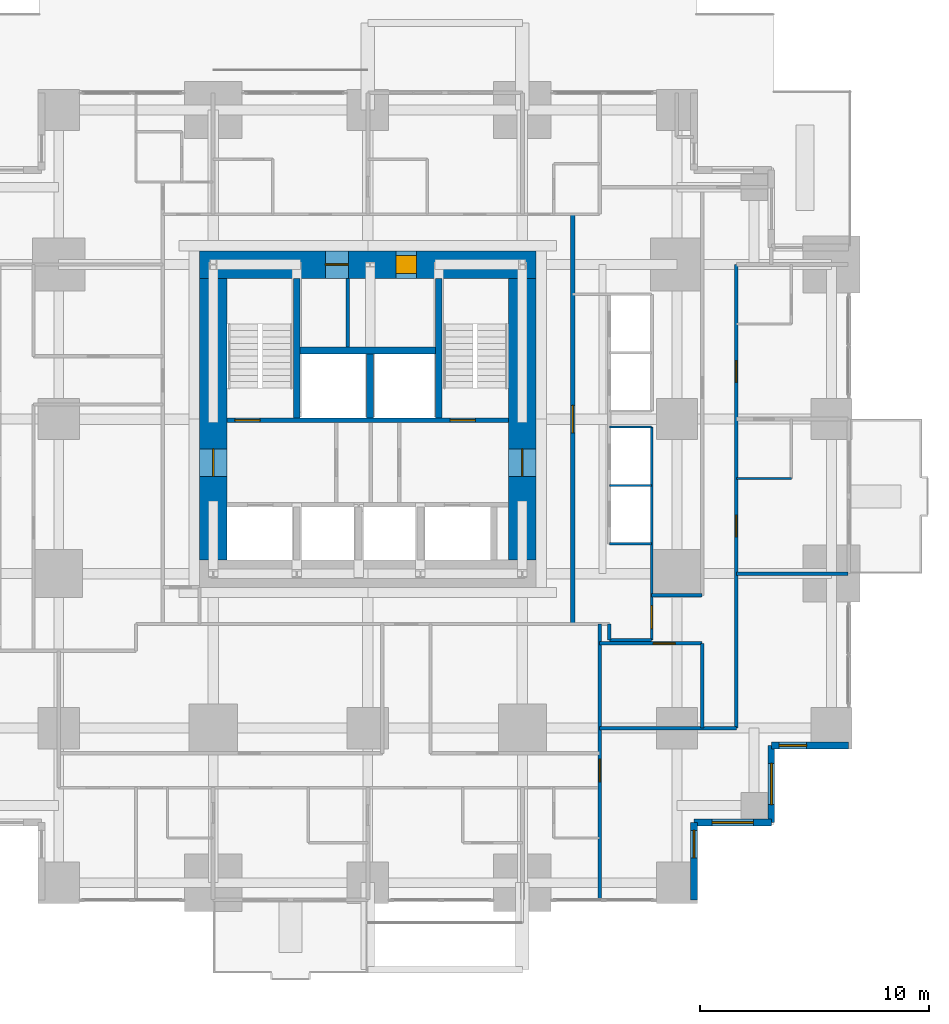
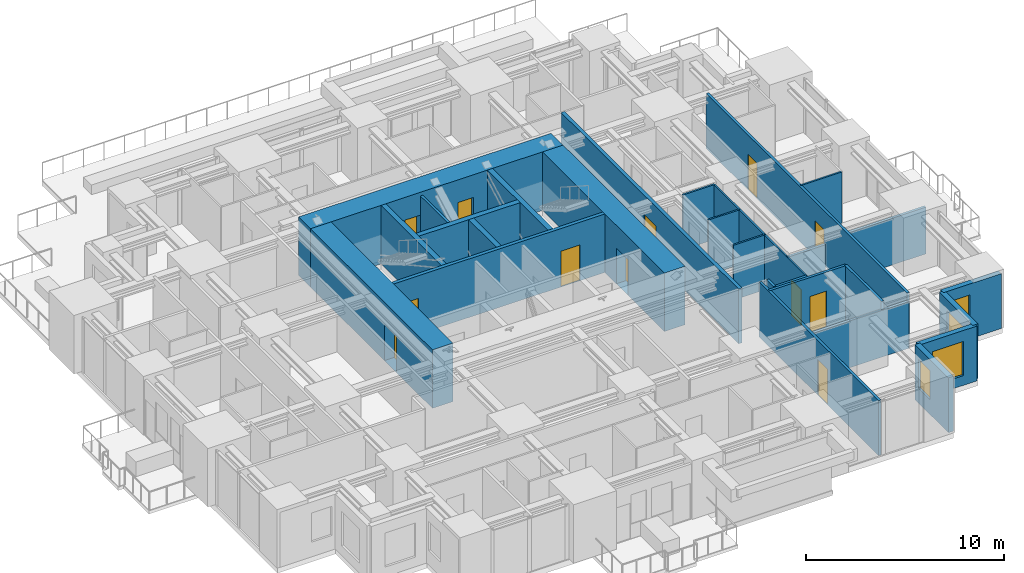
# One storey, part 8 of 12: 28 walls, 12 doors, 4 windows, 16 openings.
"""IFC4 building model written with IfcOpenShell, lengths in metres."""

import ifcopenshell
import ifcopenshell.guid

model = None  # the IFC model being written
_history = None  # IfcOwnerHistory: only IFC2X3 demands one
_inside = {}  # id of a spatial element -> (the spatial element, [elements in it])
_under = {}  # id of a project, library or spatial element -> (it, [spatial elements below it])
_declared = {}  # id of a project -> (the project, [libraries it declares])
_typed = {}  # id of a type object -> (the type object, [elements of that type])
_made_of = {}  # id of a material, layer set ... -> (it, [elements and type objects made of it])


def new_model(schema):
    """Start an empty IFC model of exactly this schema.

    Asked for "IFC4X3", IfcOpenShell would pick the latest addendum, in which some entities
    have other attributes; the version numbers below select the first issue.
    IFC2X3 requires an IfcOwnerHistory on every rooted entity: one is made here for all.
    """
    global model, _history
    if schema == "IFC4X3":
        model = ifcopenshell.file(schema_version=(4, 3, 0, 0))
    else:
        model = ifcopenshell.file(schema=schema)
    _inside.clear()
    _under.clear()
    _declared.clear()
    _typed.clear()
    _made_of.clear()
    _history = None
    if model.schema == "IFC2X3":
        org = make("IfcOrganization", Name="unknown")
        user = make(
            "IfcPersonAndOrganization",
            ThePerson=make("IfcPerson", FamilyName="unknown"),
            TheOrganization=org,
        )
        app = make(
            "IfcApplication",
            ApplicationDeveloper=org,
            Version="unknown",
            ApplicationFullName="unknown",
            ApplicationIdentifier="unknown",
        )
        _history = make(
            "IfcOwnerHistory",
            OwningUser=user,
            OwningApplication=app,
            ChangeAction="ADDED",
            CreationDate=0,
        )
    return model


def make(cls, **values):
    """One entity of the class cls with the attributes given. An attribute that is None is left unset."""
    return model.create_entity(
        cls, **{name: value for name, value in values.items() if value is not None}
    )


def rooted(cls, **values):
    """An entity with a GlobalId (a new one), such as an element, a storey or a relation."""
    return make(cls, GlobalId=ifcopenshell.guid.new(), OwnerHistory=_history, **values)


def si_unit(unit_type, name, prefix=None):
    """IfcSIUnit, for example si_unit("LENGTHUNIT", "METRE", prefix="MILLI")."""
    return make("IfcSIUnit", UnitType=unit_type, Prefix=prefix, Name=name)


def assignment(units):
    """IfcUnitAssignment: the units of a project."""
    return None if units is None else make("IfcUnitAssignment", Units=units)


def point(xyz):
    """IfcCartesianPoint."""
    return None if xyz is None else make("IfcCartesianPoint", Coordinates=xyz)


def direction(xyz):
    """IfcDirection."""
    return None if xyz is None else make("IfcDirection", DirectionRatios=xyz)


def frame(location, z_axis=None, x_axis=None):
    """IfcAxis2Placement3D, a coordinate frame: its origin and axes. An axis left out is left unset."""
    return make(
        "IfcAxis2Placement3D",
        Location=point(location),
        Axis=direction(z_axis),
        RefDirection=direction(x_axis),
    )


def frame_2d(location, x_axis=None):
    """IfcAxis2Placement2D, a coordinate frame in the plane: its origin and x axis."""
    return make(
        "IfcAxis2Placement2D", Location=point(location), RefDirection=direction(x_axis)
    )


def origin():
    """The frame at (0, 0, 0) with its axes left unset."""
    return frame((0.0, 0.0, 0.0))


def place(relative_to, where):
    """IfcLocalPlacement: puts the frame where relative to a parent placement (None: the world)."""
    return make(
        "IfcLocalPlacement", PlacementRelTo=relative_to, RelativePlacement=where
    )


def context(
    kind, dimensions, precision=None, world=None, true_north=None, identifier=None
):
    """IfcGeometricRepresentationContext, for example the 3D "Model" context."""
    return make(
        "IfcGeometricRepresentationContext",
        ContextIdentifier=identifier,
        ContextType=kind,
        CoordinateSpaceDimension=dimensions,
        Precision=precision,
        WorldCoordinateSystem=world,
        TrueNorth=true_north,
    )


def subcontext(parent, identifier, kind, view, scale=None):
    """IfcGeometricRepresentationSubContext, for example "Body" below "Model"."""
    return make(
        "IfcGeometricRepresentationSubContext",
        ContextIdentifier=identifier,
        ContextType=kind,
        ParentContext=parent,
        TargetScale=scale,
        TargetView=view,
    )


def project(units=None, contexts=None):
    """IfcProject with its units and contexts."""
    return rooted(
        "IfcProject",
        Name="project",
        RepresentationContexts=contexts,
        UnitsInContext=assignment(units),
    )


def spatial(cls, under=None, at=None, **own):
    """A site, building, storey or space (cls), placed at a placement, below another one or the project."""
    s = rooted(cls, ObjectPlacement=at, **own)
    if under is not None:
        _under.setdefault(under.id(), (under, []))[1].append(s)
    return s


def profile(cls, at=None, kind="AREA", **sizes):
    """A parametric profile (cls). Its sizes go by their IFC names, for example OverallWidth=200.0."""
    return make(cls, ProfileType=kind, Position=at, **sizes)


def rectangle(**sizes):
    """IfcRectangleProfileDef."""
    return profile("IfcRectangleProfileDef", **sizes)


def extrude(swept, where, along, depth):
    """IfcExtrudedAreaSolid: the profile swept, set in the frame where, extruded along a direction by depth."""
    return make(
        "IfcExtrudedAreaSolid",
        SweptArea=swept,
        Position=where,
        ExtrudedDirection=direction(along),
        Depth=depth,
    )


def shape(context_of_items, identifier, shape_type, items):
    """IfcShapeRepresentation: the items that make up one representation, for example the "Body"."""
    return make(
        "IfcShapeRepresentation",
        ContextOfItems=context_of_items,
        RepresentationIdentifier=identifier,
        RepresentationType=shape_type,
        Items=items,
    )


def material(Name=None, Category=None):
    """IfcMaterial."""
    return make("IfcMaterial", Name=Name, Category=Category)


def layer(
    of_material, thickness, ventilated=None, Name=None, Category=None, Priority=None
):
    """IfcMaterialLayer: one layer of a wall or slab, of a material (None: an air gap)."""
    return make(
        "IfcMaterialLayer",
        Material=of_material,
        LayerThickness=thickness,
        IsVentilated=ventilated,
        Name=Name,
        Category=Category,
        Priority=Priority,
    )


def layer_set(layers, Name=None):
    """IfcMaterialLayerSet."""
    return make("IfcMaterialLayerSet", MaterialLayers=layers, LayerSetName=Name)


def made_of(thing, what):
    """Note that an element or type object is made of a material, layer set ...; save() writes the relation."""
    if what is not None:
        _made_of.setdefault(what.id(), (what, []))[1].append(thing)
    return thing


def type_object(cls, material=None, **own):
    """A type object (cls), such as IfcWallType, which elements share."""
    return made_of(rooted(cls, **own), material)


def element(
    cls,
    number,
    at=None,
    inside=None,
    cuts=None,
    type_object=None,
    material=None,
    context=None,
    identifier="Body",
    shape_type=None,
    held_by="IfcProductDefinitionShape",
    body=None,
    shapes=None,
    **own,
):
    """One element of the class cls, such as IfcWall. Its Tag is "e" and its number.

    at: its placement. inside: the storey or other place that contains it. cuts: it is an
    opening in that element (IfcRelVoidsElement). A single representation is given by context,
    identifier, shape_type and body (its items); several are given by shapes. held_by: the class
    of the entity that holds the representations. save() writes the other relations.
    """
    e = rooted(cls, Tag="e%d" % number, ObjectPlacement=at, **own)
    if body is not None:
        shapes = [shape(context, identifier, shape_type, body)]
    if shapes is not None:
        e.Representation = make(held_by, Representations=shapes)
    if inside is not None:
        _inside.setdefault(inside.id(), (inside, []))[1].append(e)
    if cuts is not None:
        rooted(
            "IfcRelVoidsElement", RelatingBuildingElement=cuts, RelatedOpeningElement=e
        )
    if type_object is not None:
        _typed.setdefault(type_object.id(), (type_object, []))[1].append(e)
    return made_of(e, material)


def fill(opening, filler):
    """IfcRelFillsElement: the door or window that sits in an opening."""
    return rooted(
        "IfcRelFillsElement",
        RelatingOpeningElement=opening,
        RelatedBuildingElement=filler,
    )


def aggregate(whole, parts):
    """IfcRelAggregates: a whole, such as a stair, and the parts it consists of."""
    return rooted("IfcRelAggregates", RelatingObject=whole, RelatedObjects=parts)


def save(model, path):
    """Write the relations noted so far, then the file.

    IfcRelAggregates (storeys below a building ...), IfcRelContainedInSpatialStructure (elements
    in a storey), IfcRelDefinesByType, IfcRelAssociatesMaterial and IfcRelDeclares: one each for
    every whole, place, type object, material and project.
    """
    for whole, parts in _under.values():
        aggregate(whole, parts)
    for where, things in _inside.values():
        rooted(
            "IfcRelContainedInSpatialStructure",
            RelatedElements=things,
            RelatingStructure=where,
        )
    for kind, things in _typed.values():
        rooted("IfcRelDefinesByType", RelatedObjects=things, RelatingType=kind)
    for what, things in _made_of.values():
        rooted("IfcRelAssociatesMaterial", RelatedObjects=things, RelatingMaterial=what)
    for by, libraries in _declared.values():
        rooted("IfcRelDeclares", RelatingContext=by, RelatedDefinitions=libraries)
    model.write(path)


model = new_model("IFC4")

# Units and contexts
model_context = context("Model", 3, precision=1e-05, world=origin(), true_north=direction((0.0, 1.0)))
body_context = subcontext(model_context, "Body", "Model", "MODEL_VIEW")
ifc_project = project(units=[si_unit("LENGTHUNIT", "METRE"), si_unit("AREAUNIT", "SQUARE_METRE"), si_unit("VOLUMEUNIT", "CUBIC_METRE"), si_unit("PLANEANGLEUNIT", "RADIAN"), si_unit("MASSUNIT", "GRAM", prefix="KILO")], contexts=[model_context])

# Site, building, storey
site_placement = place(None, origin())
site = spatial("IfcSite", under=ifc_project, at=site_placement, CompositionType="ELEMENT")
building_placement = place(site_placement, origin())
building = spatial("IfcBuilding", under=site, at=building_placement, Name="Nyansa Garden Tower", CompositionType="ELEMENT")
storey_placement = place(building_placement, frame((0.0, 0.0, 80.10009765625)))
storey = spatial("IfcBuildingStorey", under=building, at=storey_placement, Name="L21", CompositionType="ELEMENT", Elevation=80.10009765625)

# Wall, openings, doors
ifc_material_1 = material(Name="Concrete C70/85", Category="concrete")
ifc_layer_1 = layer(ifc_material_1, 0.199951171875)
ifc_layer_set_1 = layer_set([ifc_layer_1], Name="Core inner wall CI200")
wall_type_1 = type_object("IfcWallType", Name="Core inner wall CI200", PredefinedType="SHEAR", material=ifc_layer_set_1)
wall_1_placement = place(storey_placement, frame((14.10009765625, 20.199951171875, 0.0), z_axis=(0.0, 0.0, 1.0), x_axis=(1.0, 0.0, 0.0)))
wall_1 = element("IfcWall", 1, at=wall_1_placement, inside=storey, type_object=wall_type_1, Name="Core inner wall L21", PredefinedType="SHEAR", context=body_context, shape_type="SweptSolid", body=[
    extrude(rectangle(XDim=12.2998046875, YDim=0.199951171875, at=frame_2d((6.14990234375, 0.0))), origin(), (0.0, 0.0, 1.0), 3.599853515625),
])
opening_1_placement = place(wall_1_placement, frame((0.35009765625, 0.0, 0.0)))
opening_1 = element("IfcOpeningElement", 2, at=opening_1_placement, cuts=wall_1, Name="Opening D05", PredefinedType="OPENING", context=body_context, shape_type="SweptSolid", body=[
    extrude(rectangle(XDim=1.10009765625, YDim=2.199951171875, at=frame_2d((0.550048828125, 1.10009765625))), frame((0.0, 0.10986328125, 0.0), z_axis=(0.0, -1.0, 0.0), x_axis=(1.0, 0.0, 0.0)), (0.0, 0.0, 1.0), 0.219970703125),
])
opening_2_placement = place(wall_1_placement, frame((9.75, 0.0, 0.0)))
opening_2 = element("IfcOpeningElement", 3, at=opening_2_placement, cuts=wall_1, Name="Opening D05", PredefinedType="OPENING", context=body_context, shape_type="SweptSolid", body=[
    extrude(rectangle(XDim=1.10009765625, YDim=2.199951171875, at=frame_2d((0.550048828125, 1.10009765625))), frame((0.0, 0.10986328125, 0.0), z_axis=(0.0, -1.0, 0.0), x_axis=(1.0, 0.0, 0.0)), (0.0, 0.0, 1.0), 0.219970703125),
])
ifc_material_2 = material(Name="Steel door, 120 minute fire resisting", Category="steel")
door_type_1 = type_object("IfcDoorType", Name="Stair door D05 1100x2200", OperationType="SINGLE_SWING_LEFT", PredefinedType="DOOR", material=ifc_material_2)
door_1_placement = place(opening_1_placement, origin())
door_1 = element("IfcDoor", 4, at=door_1_placement, inside=storey, type_object=door_type_1, Name="Stair S1 door", OperationType="SINGLE_SWING_LEFT", OverallHeight=2.199951171875, OverallWidth=1.10009765625, PredefinedType="DOOR", context=body_context, shape_type="SweptSolid", body=[
    extrude(rectangle(XDim=1.10009765625, YDim=2.199951171875, at=frame_2d((0.550048828125, 1.10009765625))), frame((0.0, 0.02490234375, 0.0), z_axis=(0.0, -1.0, 0.0), x_axis=(1.0, 0.0, 0.0)), (0.0, 0.0, 1.0), 0.050048828125),
])
fill(opening_1, door_1)
door_2_placement = place(opening_2_placement, origin())
door_2 = element("IfcDoor", 5, at=door_2_placement, inside=storey, type_object=door_type_1, Name="Stair S2 door", OperationType="SINGLE_SWING_LEFT", OverallHeight=2.199951171875, OverallWidth=1.10009765625, PredefinedType="DOOR", context=body_context, shape_type="SweptSolid", body=[
    extrude(rectangle(XDim=1.10009765625, YDim=2.199951171875, at=frame_2d((0.550048828125, 1.10009765625))), frame((0.0, 0.02490234375, 0.0), z_axis=(0.0, -1.0, 0.0), x_axis=(1.0, 0.0, 0.0)), (0.0, 0.0, 1.0), 0.050048828125),
])
fill(opening_2, door_2)

# Walls
ifc_material_3 = material(Name="Concrete C70/85", Category="concrete")
ifc_layer_2 = layer(ifc_material_3, 0.300048828125)
ifc_layer_set_2 = layer_set([ifc_layer_2], Name="Core inner wall CI300")
wall_type_2 = type_object("IfcWallType", Name="Core inner wall CI300", PredefinedType="SHEAR", material=ifc_layer_set_2)
for number, where, z_axis, x_axis, name in (
    (6, (17.14990234375, 20.300048828125, 0.0), (0.0, 0.0, 1.0), (0.0, 1.0, 0.0), "Core inner wall L21"),
    (7, (23.35009765625, 20.300048828125, 0.0), (0.0, 0.0, 1.0), (0.0, 1.0, 0.0), "Core inner wall L21"),
):
    element("IfcWall", number, at=place(storey_placement, frame(where, z_axis=z_axis, x_axis=x_axis)), inside=storey, type_object=wall_type_2, Name=name, PredefinedType="SHEAR", context=body_context, shape_type="SweptSolid", body=[
        extrude(rectangle(XDim=6.099853515625, YDim=0.300048828125, at=frame_2d((3.0498046875, 0.0))), origin(), (0.0, 0.0, 1.0), 3.599853515625),
    ])
wall_2_placement = place(storey_placement, frame((20.35009765625, 20.300048828125, 0.0), z_axis=(0.0, 0.0, 1.0), x_axis=(0.0, 1.0, 0.0)))
element("IfcWall", 8, at=wall_2_placement, inside=storey, type_object=wall_type_2, Name="Core inner wall L21", PredefinedType="SHEAR", context=body_context, shape_type="SweptSolid", body=[
    extrude(rectangle(XDim=2.800048828125, YDim=0.300048828125, at=frame_2d((1.39990234375, 0.0))), origin(), (0.0, 0.0, 1.0), 3.599853515625),
])
wall_3_placement = place(storey_placement, frame((17.300048828125, 23.25, 0.0), z_axis=(0.0, 0.0, 1.0), x_axis=(1.0, 0.0, 0.0)))
element("IfcWall", 9, at=wall_3_placement, inside=storey, type_object=wall_type_2, Name="Core inner wall L21", PredefinedType="SHEAR", context=body_context, shape_type="SweptSolid", body=[
    extrude(rectangle(XDim=5.89990234375, YDim=0.300048828125, at=frame_2d((2.949951171875, 0.0))), origin(), (0.0, 0.0, 1.0), 3.599853515625),
])

# Wall, opening, door
ifc_material_4 = material(Name="Concrete C80/95", Category="concrete")
ifc_layer_3 = layer(ifc_material_4, 1.199951171875)
ifc_layer_set_3 = layer_set([ifc_layer_3], Name="Core wall CW1200")
wall_type_3 = type_object("IfcWallType", Name="Core wall CW1200", PredefinedType="SHEAR", material=ifc_layer_set_3)
wall_4_placement = place(storey_placement, frame((27.0, 14.10009765625, 0.0), z_axis=(0.0, 0.0, 1.0), x_axis=(0.0, 1.0, 0.0)))
wall_4 = element("IfcWall", 10, at=wall_4_placement, inside=storey, type_object=wall_type_3, Name="Core wall E L21", PredefinedType="SHEAR", context=body_context, shape_type="SweptSolid", body=[
    extrude(rectangle(XDim=12.2998046875, YDim=1.199951171875, at=frame_2d((6.14990234375, 0.0))), origin(), (0.0, 0.0, 1.0), 3.599853515625),
])
opening_3_placement = place(wall_4_placement, frame((3.64990234375, 0.0, 0.0)))
opening_3 = element("IfcOpeningElement", 11, at=opening_3_placement, cuts=wall_4, Name="Opening D06", PredefinedType="OPENING", context=body_context, shape_type="SweptSolid", body=[
    extrude(rectangle(XDim=1.199951171875, YDim=2.199951171875, at=frame_2d((0.60009765625, 1.10009765625))), frame((0.0, 0.60986328125, 0.0), z_axis=(0.0, -1.0, 0.0), x_axis=(1.0, 0.0, 0.0)), (0.0, 0.0, 1.0), 1.219970703125),
])
ifc_material_5 = material(Name="Steel door, 120 minute fire resisting", Category="steel")
door_type_2 = type_object("IfcDoorType", Name="Lobby door D06 1200x2200", OperationType="DOUBLE_DOOR_SINGLE_SWING", PredefinedType="DOOR", material=ifc_material_5)
door_3_placement = place(opening_3_placement, origin())
door_3 = element("IfcDoor", 12, at=door_3_placement, inside=storey, type_object=door_type_2, Name="Lift lobby door east", OperationType="DOUBLE_DOOR_SINGLE_SWING", OverallHeight=2.199951171875, OverallWidth=1.199951171875, PredefinedType="DOOR", context=body_context, shape_type="SweptSolid", body=[
    extrude(rectangle(XDim=1.199951171875, YDim=2.199951171875, at=frame_2d((0.60009765625, 1.10009765625))), frame((0.0, 0.02490234375, 0.0), z_axis=(0.0, -1.0, 0.0), x_axis=(1.0, 0.0, 0.0)), (0.0, 0.0, 1.0), 0.050048828125),
])
fill(opening_3, door_3)

# Wall, openings, doors
wall_5_placement = place(storey_placement, frame((27.60009765625, 27.0, 0.0), z_axis=(0.0, 0.0, 1.0), x_axis=(-1.0, 0.0, 0.0)))
wall_5 = element("IfcWall", 13, at=wall_5_placement, inside=storey, type_object=wall_type_3, Name="Core wall N L21", PredefinedType="SHEAR", context=body_context, shape_type="SweptSolid", body=[
    extrude(rectangle(XDim=14.7001953125, YDim=1.199951171875, at=frame_2d((7.35009765625, 0.0))), origin(), (0.0, 0.0, 1.0), 3.599853515625),
])
opening_4_placement = place(wall_5_placement, frame((5.22509765625, 0.0, 0.0)))
opening_4 = element("IfcOpeningElement", 14, at=opening_4_placement, cuts=wall_5, Name="Opening D15", PredefinedType="OPENING", context=body_context, shape_type="SweptSolid", body=[
    extrude(rectangle(XDim=0.89990234375, YDim=2.199951171875, at=frame_2d((0.449951171875, 1.10009765625))), frame((0.0, 0.60986328125, 0.0), z_axis=(0.0, -1.0, 0.0), x_axis=(1.0, 0.0, 0.0)), (0.0, 0.0, 1.0), 1.219970703125),
])
opening_5_placement = place(wall_5_placement, frame((8.199951171875, 0.0, 0.0)))
opening_5 = element("IfcOpeningElement", 15, at=opening_5_placement, cuts=wall_5, Name="Opening D07", PredefinedType="OPENING", context=body_context, shape_type="SweptSolid", body=[
    extrude(rectangle(XDim=1.0, YDim=2.199951171875, at=frame_2d((0.5, 1.10009765625))), frame((0.0, 0.60986328125, 0.0), z_axis=(0.0, -1.0, 0.0), x_axis=(1.0, 0.0, 0.0)), (0.0, 0.0, 1.0), 1.219970703125),
])
ifc_material_6 = material(Name="Timber flush door, 60 minute fire resisting, self-closing", Category="wood")
door_type_3 = type_object("IfcDoorType", Name="Core room door D15 900x2200", OperationType="SINGLE_SWING_LEFT", PredefinedType="DOOR", material=ifc_material_6)
door_4_placement = place(opening_4_placement, origin())
door_4 = element("IfcDoor", 16, at=door_4_placement, inside=storey, type_object=door_type_3, Name="Core room door", OperationType="SINGLE_SWING_LEFT", OverallHeight=2.199951171875, OverallWidth=0.89990234375, PredefinedType="DOOR", context=body_context, shape_type="SweptSolid", body=[
    extrude(rectangle(XDim=0.89990234375, YDim=2.199951171875, at=frame_2d((0.449951171875, 1.10009765625))), frame((0.0, 0.39990234375, 0.0), z_axis=(0.0, -1.0, 0.0), x_axis=(1.0, 0.0, 0.0)), (0.0, 0.0, 1.0), 0.800048828125),
])
fill(opening_4, door_4)
ifc_material_7 = material(Name="Steel door, 120 minute fire resisting", Category="steel")
door_type_4 = type_object("IfcDoorType", Name="Riser door D07 1000x2200", OperationType="SINGLE_SWING_LEFT", PredefinedType="DOOR", material=ifc_material_7)
door_5_placement = place(opening_5_placement, origin())
door_5 = element("IfcDoor", 17, at=door_5_placement, inside=storey, type_object=door_type_4, Name="Riser and refuse room door", OperationType="SINGLE_SWING_LEFT", OverallHeight=2.199951171875, OverallWidth=1.0, PredefinedType="DOOR", context=body_context, shape_type="SweptSolid", body=[
    extrude(rectangle(XDim=1.0, YDim=2.199951171875, at=frame_2d((0.5, 1.10009765625))), frame((0.0, 0.02490234375, 0.0), z_axis=(0.0, -1.0, 0.0), x_axis=(1.0, 0.0, 0.0)), (0.0, 0.0, 1.0), 0.050048828125),
])
fill(opening_5, door_5)

# Wall, opening, door
wall_6_placement = place(storey_placement, frame((13.5, 26.39990234375, 0.0), z_axis=(0.0, 0.0, 1.0), x_axis=(0.0, -1.0, 0.0)))
wall_6 = element("IfcWall", 18, at=wall_6_placement, inside=storey, type_object=wall_type_3, Name="Core wall W L21", PredefinedType="SHEAR", context=body_context, shape_type="SweptSolid", body=[
    extrude(rectangle(XDim=12.2998046875, YDim=1.199951171875, at=frame_2d((6.14990234375, 0.0))), origin(), (0.0, 0.0, 1.0), 3.599853515625),
])
opening_6_placement = place(wall_6_placement, frame((7.449951171875, 0.0, 0.0)))
opening_6 = element("IfcOpeningElement", 19, at=opening_6_placement, cuts=wall_6, Name="Opening D06", PredefinedType="OPENING", context=body_context, shape_type="SweptSolid", body=[
    extrude(rectangle(XDim=1.199951171875, YDim=2.199951171875, at=frame_2d((0.60009765625, 1.10009765625))), frame((0.0, 0.60986328125, 0.0), z_axis=(0.0, -1.0, 0.0), x_axis=(1.0, 0.0, 0.0)), (0.0, 0.0, 1.0), 1.219970703125),
])
door_6_placement = place(opening_6_placement, origin())
door_6 = element("IfcDoor", 20, at=door_6_placement, inside=storey, type_object=door_type_2, Name="Lift lobby door west", OperationType="DOUBLE_DOOR_SINGLE_SWING", OverallHeight=2.199951171875, OverallWidth=1.199951171875, PredefinedType="DOOR", context=body_context, shape_type="SweptSolid", body=[
    extrude(rectangle(XDim=1.199951171875, YDim=2.199951171875, at=frame_2d((0.60009765625, 1.10009765625))), frame((0.0, 0.02490234375, 0.0), z_axis=(0.0, -1.0, 0.0), x_axis=(1.0, 0.0, 0.0)), (0.0, 0.0, 1.0), 0.050048828125),
])
fill(opening_6, door_6)

ifc_material_8 = material(Name="Concrete blockwork, plastered, 60 minute fire resisting", Category="masonry")
ifc_layer_4 = layer(ifc_material_8, 0.199951171875)
ifc_layer_set_4 = layer_set([ifc_layer_4], Name="Corridor wall FW200")
wall_type_4 = type_object("IfcWallType", Name="Corridor wall FW200", PredefinedType="PARTITIONING", material=ifc_layer_set_4)
wall_7_placement = place(storey_placement, frame((29.199951171875, 11.300048828125, 0.0), z_axis=(0.0, 0.0, 1.0), x_axis=(0.0, 1.0, 0.0)))
wall_7 = element("IfcWall", 21, at=wall_7_placement, inside=storey, type_object=wall_type_4, Name="Corridor wall", PredefinedType="PARTITIONING", context=body_context, shape_type="SweptSolid", body=[
    extrude(rectangle(XDim=17.89990234375, YDim=0.199951171875, at=frame_2d((8.949951171875, 0.0))), origin(), (0.0, 0.0, 1.0), 3.375),
])
opening_7_placement = place(wall_7_placement, frame((8.35009765625, 0.0, 0.0)))
opening_7 = element("IfcOpeningElement", 22, at=opening_7_placement, cuts=wall_7, Name="Opening D06", PredefinedType="OPENING", context=body_context, shape_type="SweptSolid", body=[
    extrude(rectangle(XDim=1.199951171875, YDim=2.199951171875, at=frame_2d((0.60009765625, 1.10009765625))), frame((0.0, 0.10986328125, 0.0), z_axis=(0.0, -1.0, 0.0), x_axis=(1.0, 0.0, 0.0)), (0.0, 0.0, 1.0), 0.219970703125),
])
door_7_placement = place(opening_7_placement, origin())
door_7 = element("IfcDoor", 23, at=door_7_placement, inside=storey, type_object=door_type_2, Name="Low-rise lift lobby door", OperationType="DOUBLE_DOOR_SINGLE_SWING", OverallHeight=2.199951171875, OverallWidth=1.199951171875, PredefinedType="DOOR", context=body_context, shape_type="SweptSolid", body=[
    extrude(rectangle(XDim=1.199951171875, YDim=2.199951171875, at=frame_2d((0.60009765625, 1.10009765625))), frame((0.0, 0.02490234375, 0.0), z_axis=(0.0, -1.0, 0.0), x_axis=(1.0, 0.0, 0.0)), (0.0, 0.0, 1.0), 0.050048828125),
])
fill(opening_7, door_7)

# Walls
ifc_material_9 = material(Name="Steel-stud shaft wall, two layers fire-rated board, EI 120", Category="steel")
ifc_layer_5 = layer(ifc_material_9, 0.10009765625)
ifc_layer_set_5 = layer_set([ifc_layer_5], Name="Lift shaft wall SW100")
wall_type_5 = type_object("IfcWallType", Name="Lift shaft wall SW100", PredefinedType="SHEAR", material=ifc_layer_set_5)
for number, where, z_axis, x_axis, name in (
    (24, (30.800048828125, 14.800048828125, 0.0), (0.0, 0.0, 1.0), (1.0, 0.0, 0.0), "Lift shaft wall"),
    (25, (30.800048828125, 17.35009765625, 0.0), (0.0, 0.0, 1.0), (1.0, 0.0, 0.0), "Lift shaft wall"),
    (26, (30.800048828125, 19.89990234375, 0.0), (0.0, 0.0, 1.0), (1.0, 0.0, 0.0), "Lift shaft wall"),
):
    element("IfcWall", number, at=place(storey_placement, frame(where, z_axis=z_axis, x_axis=x_axis)), inside=storey, type_object=wall_type_5, Name=name, PredefinedType="SHEAR", context=body_context, shape_type="SweptSolid", body=[
        extrude(rectangle(XDim=1.849853515625, YDim=0.10009765625, at=frame_2d((0.9248046875, 0.0))), origin(), (0.0, 0.0, 1.0), 3.375),
    ])

# Wall, opening, door
wall_8_placement = place(storey_placement, frame((32.64990234375, 10.60009765625, 0.0), z_axis=(0.0, 0.0, 1.0), x_axis=(0.0, 1.0, 0.0)))
wall_8 = element("IfcWall", 27, at=wall_8_placement, inside=storey, type_object=wall_type_5, Name="Lift shaft wall", PredefinedType="SHEAR", context=body_context, shape_type="SweptSolid", body=[
    extrude(rectangle(XDim=9.2998046875, YDim=0.10009765625, at=frame_2d((4.64990234375, 0.0))), origin(), (0.0, 0.0, 1.0), 3.375),
])
opening_8_placement = place(wall_8_placement, frame((0.5, 0.0, 0.0)))
opening_8 = element("IfcOpeningElement", 28, at=opening_8_placement, cuts=wall_8, Name="Opening D03", PredefinedType="OPENING", context=body_context, shape_type="SweptSolid", body=[
    extrude(rectangle(XDim=1.0, YDim=2.199951171875, at=frame_2d((0.5, 1.10009765625))), frame((0.0, 0.06005859375, 0.0), z_axis=(0.0, -1.0, 0.0), x_axis=(1.0, 0.0, 0.0)), (0.0, 0.0, 1.0), 0.1201171875),
])
ifc_material_10 = material(Name="Timber flush door, 60 minute fire resisting", Category="wood")
door_type_5 = type_object("IfcDoorType", Name="Cluster entrance door D03 1000x2200", OperationType="SINGLE_SWING_LEFT", PredefinedType="DOOR", material=ifc_material_10)
door_8_placement = place(opening_8_placement, origin())
door_8 = element("IfcDoor", 29, at=door_8_placement, inside=storey, type_object=door_type_5, Name="Door L21-035", OperationType="SINGLE_SWING_LEFT", OverallHeight=2.199951171875, OverallWidth=1.0, PredefinedType="DOOR", context=body_context, shape_type="SweptSolid", body=[
    extrude(rectangle(XDim=1.0, YDim=2.199951171875, at=frame_2d((0.5, 1.10009765625))), frame((0.0, 0.02490234375, 0.0), z_axis=(0.0, -1.0, 0.0), x_axis=(1.0, 0.0, 0.0)), (0.0, 0.0, 1.0), 0.050048828125),
])
fill(opening_8, door_8)

# Wall
ifc_material_11 = material(Name="Blockwork, plastered both sides", Category="masonry")
ifc_layer_6 = layer(ifc_material_11, 0.14990234375)
ifc_layer_set_6 = layer_set([ifc_layer_6], Name="Partition PW150")
wall_type_6 = type_object("IfcWallType", Name="Partition PW150", PredefinedType="PARTITIONING", material=ifc_layer_set_6)
wall_9_placement = place(storey_placement, frame((19.375, 23.39990234375, 0.0), z_axis=(0.0, 0.0, 1.0), x_axis=(0.0, 1.0, 0.0)))
element("IfcWall", 30, at=wall_9_placement, inside=storey, type_object=wall_type_6, Name="Partition", PredefinedType="PARTITIONING", context=body_context, shape_type="SweptSolid", body=[
    extrude(rectangle(XDim=3.0, YDim=0.14990234375, at=frame_2d((1.5, 0.0))), origin(), (0.0, 0.0, 1.0), 3.375),
])

# Wall, opening, door
wall_10_placement = place(storey_placement, frame((30.375, -0.73388671875, 0.0), z_axis=(0.0, 0.0, 1.0), x_axis=(0.0, 1.0, 0.0)))
wall_10 = element("IfcWall", 31, at=wall_10_placement, inside=storey, type_object=wall_type_6, Name="Partition", PredefinedType="PARTITIONING", context=body_context, shape_type="SweptSolid", body=[
    extrude(rectangle(XDim=12.033935546875, YDim=0.14990234375, at=frame_2d((6.01708984375, 0.0))), origin(), (0.0, 0.0, 1.0), 3.375),
])
opening_9_placement = place(wall_10_placement, frame((5.134033203125, 0.0, 0.0)))
opening_9 = element("IfcOpeningElement", 32, at=opening_9_placement, cuts=wall_10, Name="Opening D03", PredefinedType="OPENING", context=body_context, shape_type="SweptSolid", body=[
    extrude(rectangle(XDim=1.0, YDim=2.199951171875, at=frame_2d((0.5, 1.10009765625))), frame((0.0, 0.0849609375, 0.0), z_axis=(0.0, -1.0, 0.0), x_axis=(1.0, 0.0, 0.0)), (0.0, 0.0, 1.0), 0.169921875),
])
door_9_placement = place(opening_9_placement, origin())
door_9 = element("IfcDoor", 33, at=door_9_placement, inside=storey, type_object=door_type_5, Name="Door L21-030", OperationType="SINGLE_SWING_LEFT", OverallHeight=2.199951171875, OverallWidth=1.0, PredefinedType="DOOR", context=body_context, shape_type="SweptSolid", body=[
    extrude(rectangle(XDim=1.0, YDim=2.199951171875, at=frame_2d((0.5, 1.10009765625))), frame((0.0, 0.02490234375, 0.0), z_axis=(0.0, -1.0, 0.0), x_axis=(1.0, 0.0, 0.0)), (0.0, 0.0, 1.0), 0.050048828125),
])
fill(opening_9, door_9)

# Wall
wall_11_placement = place(storey_placement, frame((30.375, 6.75, 0.0), z_axis=(0.0, 0.0, 1.0), x_axis=(1.0, 0.0, 0.0)))
element("IfcWall", 34, at=wall_11_placement, inside=storey, type_object=wall_type_6, Name="Partition", PredefinedType="PARTITIONING", context=body_context, shape_type="SweptSolid", body=[
    extrude(rectangle(XDim=5.97509765625, YDim=0.14990234375, at=frame_2d((2.987548828125, 0.0))), origin(), (0.0, 0.0, 1.0), 2.876953125),
])

# Wall, opening, door
wall_12_placement = place(storey_placement, frame((30.375, 10.449951171875, 0.0), z_axis=(0.0, 0.0, 1.0), x_axis=(1.0, 0.0, 0.0)))
wall_12 = element("IfcWall", 35, at=wall_12_placement, inside=storey, type_object=wall_type_6, Name="Partition", PredefinedType="PARTITIONING", context=body_context, shape_type="SweptSolid", body=[
    extrude(rectangle(XDim=4.47509765625, YDim=0.14990234375, at=frame_2d((2.237548828125, 0.0))), origin(), (0.0, 0.0, 1.0), 3.375),
])
opening_10_placement = place(wall_12_placement, frame((2.35009765625, 0.0, 0.0)))
opening_10 = element("IfcOpeningElement", 36, at=opening_10_placement, cuts=wall_12, Name="Opening D01", PredefinedType="OPENING", context=body_context, shape_type="SweptSolid", body=[
    extrude(rectangle(XDim=0.949951171875, YDim=2.199951171875, at=frame_2d((0.47509765625, 1.10009765625))), frame((0.0, 0.0849609375, 0.0), z_axis=(0.0, -1.0, 0.0), x_axis=(1.0, 0.0, 0.0)), (0.0, 0.0, 1.0), 0.169921875),
])
ifc_material_12 = material(Name="Timber flush door, 30 minute fire resisting", Category="wood")
door_type_6 = type_object("IfcDoorType", Name="Bedroom door D01 950x2200", OperationType="SINGLE_SWING_LEFT", PredefinedType="DOOR", material=ifc_material_12)
door_10_placement = place(opening_10_placement, origin())
door_10 = element("IfcDoor", 37, at=door_10_placement, inside=storey, type_object=door_type_6, Name="Door L21-037", OperationType="SINGLE_SWING_LEFT", OverallHeight=2.199951171875, OverallWidth=0.949951171875, PredefinedType="DOOR", context=body_context, shape_type="SweptSolid", body=[
    extrude(rectangle(XDim=0.949951171875, YDim=2.199951171875, at=frame_2d((0.47509765625, 1.10009765625))), frame((0.0, 0.02490234375, 0.0), z_axis=(0.0, -1.0, 0.0), x_axis=(1.0, 0.0, 0.0)), (0.0, 0.0, 1.0), 0.050048828125),
])
fill(opening_10, door_10)

# Walls
wall_13_placement = place(storey_placement, frame((30.800048828125, 10.60009765625, 0.0), z_axis=(0.0, 0.0, 1.0), x_axis=(0.0, 1.0, 0.0)))
element("IfcWall", 38, at=wall_13_placement, inside=storey, type_object=wall_type_6, Name="Partition", PredefinedType="PARTITIONING", context=body_context, shape_type="SweptSolid", body=[
    extrude(rectangle(XDim=0.699951171875, YDim=0.14990234375, at=frame_2d((0.35009765625, 0.0))), origin(), (0.0, 0.0, 1.0), 3.375),
])
wall_14_placement = place(storey_placement, frame((30.800048828125, 10.60009765625, 0.0), z_axis=(0.0, 0.0, 1.0), x_axis=(1.0, 0.0, 0.0)))
element("IfcWall", 39, at=wall_14_placement, inside=storey, type_object=wall_type_6, Name="Partition", PredefinedType="PARTITIONING", context=body_context, shape_type="SweptSolid", body=[
    extrude(rectangle(XDim=1.849853515625, YDim=0.14990234375, at=frame_2d((0.9248046875, 0.0))), origin(), (0.0, 0.0, 1.0), 3.375),
])
wall_15_placement = place(storey_placement, frame((32.64990234375, 12.550048828125, 0.0), z_axis=(0.0, 0.0, 1.0), x_axis=(1.0, 0.0, 0.0)))
element("IfcWall", 40, at=wall_15_placement, inside=storey, type_object=wall_type_6, Name="Partition", PredefinedType="PARTITIONING", context=body_context, shape_type="SweptSolid", body=[
    extrude(rectangle(XDim=2.2001953125, YDim=0.14990234375, at=frame_2d((1.10009765625, 0.0))), origin(), (0.0, 0.0, 1.0), 3.375),
])
wall_16_placement = place(storey_placement, frame((34.85009765625, 6.75, 0.0), z_axis=(0.0, 0.0, 1.0), x_axis=(0.0, 1.0, 0.0)))
element("IfcWall", 41, at=wall_16_placement, inside=storey, type_object=wall_type_6, Name="Partition", PredefinedType="PARTITIONING", context=body_context, shape_type="SweptSolid", body=[
    extrude(rectangle(XDim=3.699951171875, YDim=0.14990234375, at=frame_2d((1.85009765625, 0.0))), origin(), (0.0, 0.0, 1.0), 3.375),
])

# Wall, openings, doors
wall_17_placement = place(storey_placement, frame((36.35009765625, 6.75, 0.0), z_axis=(0.0, 0.0, 1.0), x_axis=(0.0, 1.0, 0.0)))
wall_17 = element("IfcWall", 42, at=wall_17_placement, inside=storey, type_object=wall_type_6, Name="Partition", PredefinedType="PARTITIONING", context=body_context, shape_type="SweptSolid", body=[
    extrude(rectangle(XDim=20.25, YDim=0.14990234375, at=frame_2d((10.125, 0.0))), origin(), (0.0, 0.0, 1.0), 3.375),
])
opening_11_placement = place(wall_17_placement, frame((15.10009765625, 0.0, 0.0)))
opening_11 = element("IfcOpeningElement", 43, at=opening_11_placement, cuts=wall_17, Name="Opening D14", PredefinedType="OPENING", context=body_context, shape_type="SweptSolid", body=[
    extrude(rectangle(XDim=0.949951171875, YDim=2.199951171875, at=frame_2d((0.47509765625, 1.10009765625))), frame((0.0, 0.0849609375, 0.0), z_axis=(0.0, -1.0, 0.0), x_axis=(1.0, 0.0, 0.0)), (0.0, 0.0, 1.0), 0.169921875),
])
opening_12_placement = place(wall_17_placement, frame((8.35009765625, 0.0, 0.0)))
opening_12 = element("IfcOpeningElement", 44, at=opening_12_placement, cuts=wall_17, Name="Opening D14", PredefinedType="OPENING", context=body_context, shape_type="SweptSolid", body=[
    extrude(rectangle(XDim=0.949951171875, YDim=2.199951171875, at=frame_2d((0.47509765625, 1.10009765625))), frame((0.0, 0.0849609375, 0.0), z_axis=(0.0, -1.0, 0.0), x_axis=(1.0, 0.0, 0.0)), (0.0, 0.0, 1.0), 0.169921875),
])
ifc_material_13 = material(Name="Timber flush door, 60 minute fire resisting, self-closing", Category="wood")
door_type_7 = type_object("IfcDoorType", Name="Studio entrance door D14 950x2200", OperationType="SINGLE_SWING_LEFT", PredefinedType="DOOR", material=ifc_material_13)
door_11_placement = place(opening_11_placement, origin())
door_11 = element("IfcDoor", 45, at=door_11_placement, inside=storey, type_object=door_type_7, Name="Door L21-031", OperationType="SINGLE_SWING_LEFT", OverallHeight=2.199951171875, OverallWidth=0.949951171875, PredefinedType="DOOR", context=body_context, shape_type="SweptSolid", body=[
    extrude(rectangle(XDim=0.949951171875, YDim=2.199951171875, at=frame_2d((0.47509765625, 1.10009765625))), frame((0.0, 0.02490234375, 0.0), z_axis=(0.0, -1.0, 0.0), x_axis=(1.0, 0.0, 0.0)), (0.0, 0.0, 1.0), 0.050048828125),
])
fill(opening_11, door_11)
door_12_placement = place(opening_12_placement, origin())
door_12 = element("IfcDoor", 46, at=door_12_placement, inside=storey, type_object=door_type_7, Name="Door L21-033", OperationType="SINGLE_SWING_LEFT", OverallHeight=2.199951171875, OverallWidth=0.949951171875, PredefinedType="DOOR", context=body_context, shape_type="SweptSolid", body=[
    extrude(rectangle(XDim=0.949951171875, YDim=2.199951171875, at=frame_2d((0.47509765625, 1.10009765625))), frame((0.0, 0.02490234375, 0.0), z_axis=(0.0, -1.0, 0.0), x_axis=(1.0, 0.0, 0.0)), (0.0, 0.0, 1.0), 0.050048828125),
])
fill(opening_12, door_12)

# Wall
wall_18_placement = place(storey_placement, frame((36.35009765625, 13.5, 0.0), z_axis=(0.0, 0.0, 1.0), x_axis=(1.0, 0.0, 0.0)))
element("IfcWall", 47, at=wall_18_placement, inside=storey, type_object=wall_type_6, Name="Partition", PredefinedType="PARTITIONING", context=body_context, shape_type="SweptSolid", body=[
    extrude(rectangle(XDim=4.8837890625, YDim=0.14990234375, at=frame_2d((2.44189453125, 0.0))), origin(), (0.0, 0.0, 1.0), 2.876953125),
])

# Wall, opening, window
ifc_material_14 = material(Name="Turquoise glazed tile on concrete blockwork", Category="masonry")
ifc_layer_7 = layer(ifc_material_14, 0.300048828125)
ifc_layer_set_7 = layer_set([ifc_layer_7], Name="Tiled corner wall TW300")
wall_type_7 = type_object("IfcWallType", Name="Tiled corner wall TW300", PredefinedType="SOLIDWALL", material=ifc_layer_set_7)
wall_19_placement = place(storey_placement, frame((34.5, -0.75, 0.0), z_axis=(0.0, 0.0, 1.0), x_axis=(0.0, 1.0, 0.0)))
wall_19 = element("IfcWall", 48, at=wall_19_placement, inside=storey, type_object=wall_type_7, Name="Tiled corner wall L21", PredefinedType="SOLIDWALL", context=body_context, shape_type="SweptSolid", body=[
    extrude(rectangle(XDim=3.375, YDim=0.300048828125, at=frame_2d((1.6875, 0.0))), origin(), (0.0, 0.0, 1.0), 3.375),
])
opening_13_placement = place(wall_19_placement, frame((1.83251953125, 0.0, 0.89990234375)))
opening_13 = element("IfcOpeningElement", 49, at=opening_13_placement, cuts=wall_19, Name="Opening W4", PredefinedType="OPENING", context=body_context, shape_type="SweptSolid", body=[
    extrude(rectangle(XDim=1.199951171875, YDim=1.800048828125, at=frame_2d((0.60009765625, 0.89990234375))), frame((0.0, 0.159912109375, 0.0), z_axis=(0.0, -1.0, 0.0), x_axis=(1.0, 0.0, 0.0)), (0.0, 0.0, 1.0), 0.320068359375),
])
ifc_material_15 = material(Name="Black aluminium frame, dark tinted double glazing", Category="aluminium")
window_type_1 = type_object("IfcWindowType", Name="Window W4 1200x1800", PartitioningType="SINGLE_PANEL", PredefinedType="WINDOW", material=ifc_material_15)
window_1_placement = place(opening_13_placement, origin())
window_1 = element("IfcWindow", 50, at=window_1_placement, inside=storey, type_object=window_type_1, Name="Corner window L21", OverallHeight=1.800048828125, OverallWidth=1.199951171875, PartitioningType="SINGLE_PANEL", PredefinedType="WINDOW", context=body_context, shape_type="SweptSolid", body=[
    extrude(rectangle(XDim=1.199951171875, YDim=1.800048828125, at=frame_2d((0.60009765625, 0.89990234375))), frame((0.0, 0.030029296875, 0.0), z_axis=(0.0, -1.0, 0.0), x_axis=(1.0, 0.0, 0.0)), (0.0, 0.0, 1.0), 0.06005859375),
])
fill(opening_13, window_1)

wall_20_placement = place(storey_placement, frame((34.5, 2.625, 0.0), z_axis=(0.0, 0.0, 1.0), x_axis=(1.0, 0.0, 0.0)))
wall_20 = element("IfcWall", 51, at=wall_20_placement, inside=storey, type_object=wall_type_7, Name="Tiled corner wall L21", PredefinedType="SOLIDWALL", context=body_context, shape_type="SweptSolid", body=[
    extrude(rectangle(XDim=3.375, YDim=0.300048828125, at=frame_2d((1.6875, 0.0))), origin(), (0.0, 0.0, 1.0), 3.375),
])
opening_14_placement = place(wall_20_placement, frame((0.78759765625, 0.0, 0.60009765625)))
opening_14 = element("IfcOpeningElement", 52, at=opening_14_placement, cuts=wall_20, Name="Opening W2", PredefinedType="OPENING", context=body_context, shape_type="SweptSolid", body=[
    extrude(rectangle(XDim=1.800048828125, YDim=2.10009765625, at=frame_2d((0.89990234375, 1.050048828125))), frame((0.0, 0.159912109375, 0.0), z_axis=(0.0, -1.0, 0.0), x_axis=(1.0, 0.0, 0.0)), (0.0, 0.0, 1.0), 0.320068359375),
])
ifc_material_16 = material(Name="Black aluminium frame, dark tinted double glazing", Category="aluminium")
window_type_2 = type_object("IfcWindowType", Name="Window W2 1800x2100", PartitioningType="SINGLE_PANEL", PredefinedType="WINDOW", material=ifc_material_16)
window_2_placement = place(opening_14_placement, origin())
window_2 = element("IfcWindow", 53, at=window_2_placement, inside=storey, type_object=window_type_2, Name="Corner window L21", OverallHeight=2.10009765625, OverallWidth=1.800048828125, PartitioningType="SINGLE_PANEL", PredefinedType="WINDOW", context=body_context, shape_type="SweptSolid", body=[
    extrude(rectangle(XDim=1.800048828125, YDim=2.10009765625, at=frame_2d((0.89990234375, 1.050048828125))), frame((0.0, 0.030029296875, 0.0), z_axis=(0.0, -1.0, 0.0), x_axis=(1.0, 0.0, 0.0)), (0.0, 0.0, 1.0), 0.06005859375),
])
fill(opening_14, window_2)

wall_21_placement = place(storey_placement, frame((37.875, 2.625, 0.0), z_axis=(0.0, 0.0, 1.0), x_axis=(0.0, 1.0, 0.0)))
wall_21 = element("IfcWall", 54, at=wall_21_placement, inside=storey, type_object=wall_type_7, Name="Tiled corner wall L21", PredefinedType="SOLIDWALL", context=body_context, shape_type="SweptSolid", body=[
    extrude(rectangle(XDim=3.375, YDim=0.300048828125, at=frame_2d((1.6875, 0.0))), origin(), (0.0, 0.0, 1.0), 3.375),
])
opening_15_placement = place(wall_21_placement, frame((0.78759765625, 0.0, 0.60009765625)))
opening_15 = element("IfcOpeningElement", 55, at=opening_15_placement, cuts=wall_21, Name="Opening W2", PredefinedType="OPENING", context=body_context, shape_type="SweptSolid", body=[
    extrude(rectangle(XDim=1.800048828125, YDim=2.10009765625, at=frame_2d((0.89990234375, 1.050048828125))), frame((0.0, 0.159912109375, 0.0), z_axis=(0.0, -1.0, 0.0), x_axis=(1.0, 0.0, 0.0)), (0.0, 0.0, 1.0), 0.320068359375),
])
window_3_placement = place(opening_15_placement, origin())
window_3 = element("IfcWindow", 56, at=window_3_placement, inside=storey, type_object=window_type_2, Name="Corner window L21", OverallHeight=2.10009765625, OverallWidth=1.800048828125, PartitioningType="SINGLE_PANEL", PredefinedType="WINDOW", context=body_context, shape_type="SweptSolid", body=[
    extrude(rectangle(XDim=1.800048828125, YDim=2.10009765625, at=frame_2d((0.89990234375, 1.050048828125))), frame((0.0, 0.030029296875, 0.0), z_axis=(0.0, -1.0, 0.0), x_axis=(1.0, 0.0, 0.0)), (0.0, 0.0, 1.0), 0.06005859375),
])
fill(opening_15, window_3)

wall_22_placement = place(storey_placement, frame((37.875, 6.0, 0.0), z_axis=(0.0, 0.0, 1.0), x_axis=(1.0, 0.0, 0.0)))
wall_22 = element("IfcWall", 57, at=wall_22_placement, inside=storey, type_object=wall_type_7, Name="Tiled corner wall L21", PredefinedType="SOLIDWALL", context=body_context, shape_type="SweptSolid", body=[
    extrude(rectangle(XDim=3.375, YDim=0.300048828125, at=frame_2d((1.6875, 0.0))), origin(), (0.0, 0.0, 1.0), 3.375),
])
opening_16_placement = place(wall_22_placement, frame((0.342529296875, 0.0, 0.89990234375)))
opening_16 = element("IfcOpeningElement", 58, at=opening_16_placement, cuts=wall_22, Name="Opening W4", PredefinedType="OPENING", context=body_context, shape_type="SweptSolid", body=[
    extrude(rectangle(XDim=1.199951171875, YDim=1.800048828125, at=frame_2d((0.60009765625, 0.89990234375))), frame((0.0, 0.159912109375, 0.0), z_axis=(0.0, -1.0, 0.0), x_axis=(1.0, 0.0, 0.0)), (0.0, 0.0, 1.0), 0.320068359375),
])
window_4_placement = place(opening_16_placement, origin())
window_4 = element("IfcWindow", 59, at=window_4_placement, inside=storey, type_object=window_type_1, Name="Corner window L21", OverallHeight=1.800048828125, OverallWidth=1.199951171875, PartitioningType="SINGLE_PANEL", PredefinedType="WINDOW", context=body_context, shape_type="SweptSolid", body=[
    extrude(rectangle(XDim=1.199951171875, YDim=1.800048828125, at=frame_2d((0.60009765625, 0.89990234375))), frame((0.0, 0.030029296875, 0.0), z_axis=(0.0, -1.0, 0.0), x_axis=(1.0, 0.0, 0.0)), (0.0, 0.0, 1.0), 0.06005859375),
])
fill(opening_16, window_4)

# Wall
ifc_material_17 = material(Name="Moisture resistant board on steel studs, tiled", Category="steel")
ifc_layer_8 = layer(ifc_material_17, 0.10009765625)
ifc_layer_set_8 = layer_set([ifc_layer_8], Name="Wet wall PW100")
wall_type_8 = type_object("IfcWallType", Name="Wet wall PW100", PredefinedType="PARTITIONING", material=ifc_layer_set_8)
wall_23_placement = place(storey_placement, frame((36.35009765625, 17.64990234375, 0.0), z_axis=(0.0, 0.0, 1.0), x_axis=(1.0, 0.0, 0.0)))
element("IfcWall", 60, at=wall_23_placement, inside=storey, type_object=wall_type_8, Name="Wet wall", PredefinedType="PARTITIONING", context=body_context, shape_type="SweptSolid", body=[
    extrude(rectangle(XDim=2.39990234375, YDim=0.10009765625, at=frame_2d((1.199951171875, 0.0))), origin(), (0.0, 0.0, 1.0), 3.375),
])

save(model, "model.ifc")
